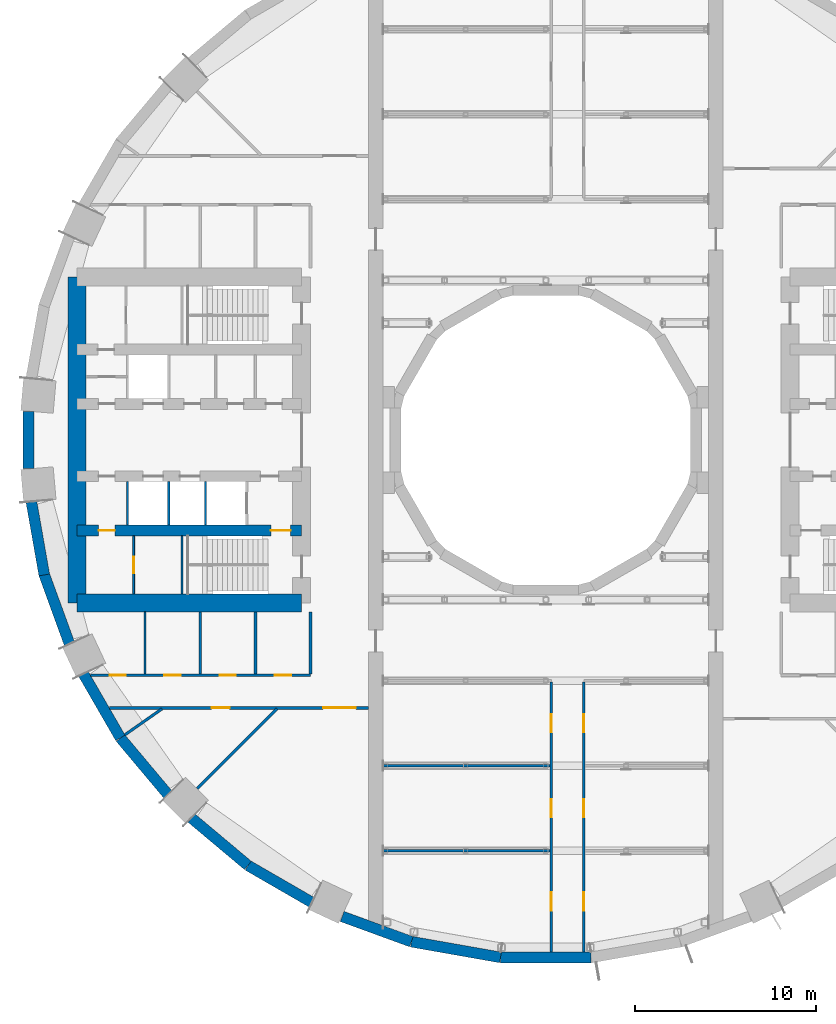
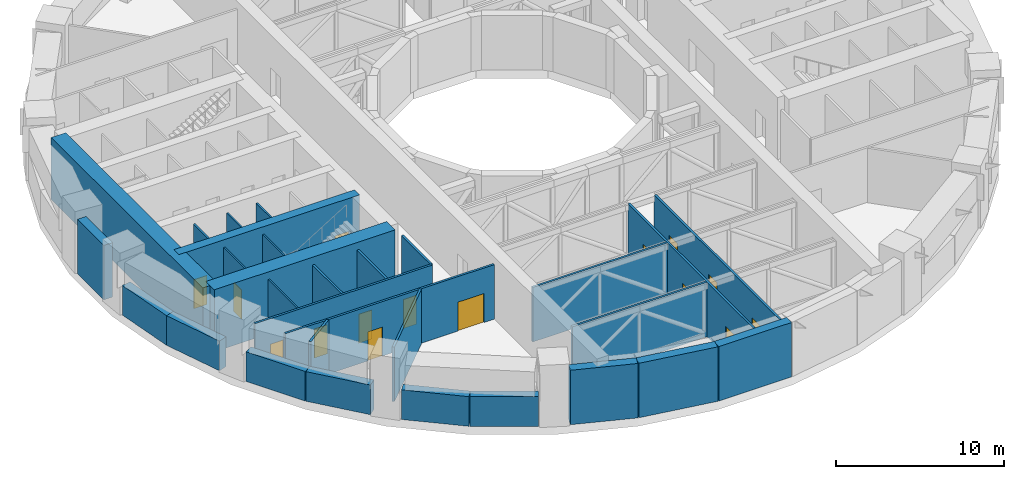
# One storey, part 13 of 21: 30 walls, 15 doors, 15 openings.
"""IFC4 building model written with IfcOpenShell, lengths in metres."""

from ifc_helpers import new_model, si_unit, direction, frame, frame_2d, origin, place, context, subcontext, project, spatial, rectangle, extrude, material, layer, layer_set, type_object, element, fill, save


model = new_model("IFC4")

# Units and contexts
model_context = context("Model", 3, precision=1e-05, world=origin(), true_north=direction((0.0, 1.0)))
body_context = subcontext(model_context, "Body", "Model", "MODEL_VIEW")
ifc_project = project(units=[si_unit("LENGTHUNIT", "METRE"), si_unit("AREAUNIT", "SQUARE_METRE"), si_unit("VOLUMEUNIT", "CUBIC_METRE"), si_unit("PLANEANGLEUNIT", "RADIAN"), si_unit("MASSUNIT", "GRAM", prefix="KILO")], contexts=[model_context])

# Site, building, storey
site_placement = place(None, origin())
site = spatial("IfcSite", under=ifc_project, at=site_placement, CompositionType="ELEMENT")
building_placement = place(site_placement, origin())
building = spatial("IfcBuilding", under=site, at=building_placement, Name="Saqina Gate Tower", CompositionType="ELEMENT")
storey_placement = place(building_placement, frame((0.0, 0.0, 21.800048828125)))
storey = spatial("IfcBuildingStorey", under=building, at=storey_placement, Name="L05", CompositionType="ELEMENT", Elevation=21.800048828125)

# Wall, opening, door
ifc_material_1 = material(Name="Gypsum board on steel studs", Category="steel")
ifc_layer_1 = layer(ifc_material_1, 0.10009765625)
ifc_layer_set_1 = layer_set([ifc_layer_1], Name="CORE PARTITION")
wall_type_1 = type_object("IfcWallType", Name="CORE PARTITION", PredefinedType="PARTITIONING", material=ifc_layer_set_1)
wall_1_placement = place(storey_placement, frame((-22.780029296875, -8.5, 0.0), z_axis=(0.0, 0.0, 1.0), x_axis=(0.0, 1.0, 0.0)))
wall_1 = element("IfcWall", 1, at=wall_1_placement, inside=storey, type_object=wall_type_1, Name="L05-CP-W13", PredefinedType="PARTITIONING", context=body_context, shape_type="SweptSolid", body=[
    extrude(rectangle(XDim=3.199951171875, YDim=0.10009765625, at=frame_2d((1.60009765625, 0.0))), origin(), (0.0, 0.0, 1.0), 3.949951171875),
])
opening_1_placement = place(wall_1_placement, frame((1.14990234375, 0.0, 0.0)))
opening_1 = element("IfcOpeningElement", 2, at=opening_1_placement, cuts=wall_1, Name="Opening L05-D114", PredefinedType="OPENING", context=body_context, shape_type="SweptSolid", body=[
    extrude(rectangle(XDim=0.89990234375, YDim=2.10009765625, at=frame_2d((0.449951171875, 1.050048828125))), frame((0.0, 0.06201171875, 0.0), z_axis=(0.0, -1.0, 0.0), x_axis=(1.0, 0.0, 0.0)), (0.0, 0.0, 1.0), 0.1240234375),
])
ifc_material_2 = material(Name="Steel-framed fire door leaf, EI 60", Category="steel")
door_type_1 = type_object("IfcDoorType", Name="SERVICE ROOM DOOR 900", OperationType="SINGLE_SWING_LEFT", PredefinedType="DOOR", material=ifc_material_2)
door_1_placement = place(opening_1_placement, frame((0.89990234375, 0.0, 0.0), z_axis=(0.0, 0.0, 1.0), x_axis=(-1.0, 0.0, 0.0)))
door_1 = element("IfcDoor", 3, at=door_1_placement, inside=storey, type_object=door_type_1, Name="L05-CD-W25", OperationType="SINGLE_SWING_RIGHT", OverallHeight=2.10009765625, OverallWidth=0.89990234375, PredefinedType="DOOR", context=body_context, shape_type="SweptSolid", body=[
    extrude(rectangle(XDim=0.89990234375, YDim=2.10009765625, at=frame_2d((0.449951171875, 1.050048828125))), frame((0.0, 0.02490234375, 0.0), z_axis=(0.0, -1.0, 0.0), x_axis=(1.0, 0.0, 0.0)), (0.0, 0.0, 1.0), 0.050048828125),
])
fill(opening_1, door_1)

# Walls
ifc_material_3 = material(Name="Brick masonry (red)", Category="masonry")
ifc_layer_2 = layer(ifc_material_3, 0.60009765625)
ifc_layer_set_2 = layer_set([ifc_layer_2], Name="FW-BRICK-RED")
wall_type_2 = type_object("IfcWallType", Name="FW-BRICK-RED", PredefinedType="SOLIDWALL", material=ifc_layer_set_2)
wall_2_placement = place(storey_placement, frame((-25.545166015625, -12.933837890625, 0.0), z_axis=(0.0, 0.0, 1.0), x_axis=(0.500023678693, -0.866011732453, 0.0)))
element("IfcWall", 4, at=wall_2_placement, inside=storey, type_object=wall_type_2, Name="Facade wall L05 facet 21", PredefinedType="SOLIDWALL", context=body_context, shape_type="SweptSolid", body=[
    extrude(rectangle(XDim=4.069091796875, YDim=0.60009765625, at=frame_2d((2.03466796875, 0.0))), origin(), (0.0, 0.0, 1.0), 2.14990234375),
])
for number, where, z_axis, x_axis, name in (
    (5, (-23.50634765625, -16.4638671875, 0.0), (0.0, 0.0, 1.0), (0.642800844336, -0.766033337734, 0.0), "Facade wall L05 facet 22"),
    (6, (-19.5810546875, -20.890625, 0.0), (0.0, 0.0, 1.0), (0.766033337734, -0.642800844336, 0.0), "Facade wall L05 facet 23"),
):
    element("IfcWall", number, at=place(storey_placement, frame(where, z_axis=z_axis, x_axis=x_axis)), inside=storey, type_object=wall_type_2, Name=name, PredefinedType="SOLIDWALL", context=body_context, shape_type="SweptSolid", body=[
        extrude(rectangle(XDim=4.0693359375, YDim=0.60009765625, at=frame_2d((2.03466796875, 0.0))), origin(), (0.0, 0.0, 1.0), 2.14990234375),
    ])
wall_3_placement = place(storey_placement, frame((-16.457763671875, -23.510498046875, 0.0), z_axis=(0.0, 0.0, 1.0), x_axis=(0.866011732453, -0.500023678693, 0.0)))
element("IfcWall", 7, at=wall_3_placement, inside=storey, type_object=wall_type_2, Name="Facade wall L05 facet 24", PredefinedType="SOLIDWALL", context=body_context, shape_type="SweptSolid", body=[
    extrude(rectangle(XDim=4.069091796875, YDim=0.60009765625, at=frame_2d((2.03466796875, 0.0))), origin(), (0.0, 0.0, 1.0), 2.14990234375),
])
wall_4_placement = place(storey_placement, frame((-11.255126953125, -26.327880859375, 0.0), z_axis=(0.0, 0.0, 1.0), x_axis=(0.939683013865, -0.342046536971, 0.0)))
element("IfcWall", 8, at=wall_4_placement, inside=storey, type_object=wall_type_2, Name="Facade wall L05 facet 25", PredefinedType="SOLIDWALL", context=body_context, shape_type="SweptSolid", body=[
    extrude(rectangle(XDim=4.069091796875, YDim=0.60009765625, at=frame_2d((2.03466796875, 0.0))), origin(), (0.0, 0.0, 1.0), 3.949951171875),
])
for number, where, z_axis, x_axis, name in (
    (9, (-7.424072265625, -27.7216796875, 0.0), (0.0, 0.0, 1.0), (0.984806184402, -0.173657073462, 0.0), "Facade wall L05 facet 26"),
    (10, (-2.49755859375, -28.589599609375, 0.0), (0.0, 0.0, 1.0), (1.0, 0.0, 0.0), "Facade wall L05 facet 27"),
):
    element("IfcWall", number, at=place(storey_placement, frame(where, z_axis=z_axis, x_axis=x_axis)), inside=storey, type_object=wall_type_2, Name=name, PredefinedType="SOLIDWALL", context=body_context, shape_type="SweptSolid", body=[
        extrude(rectangle(XDim=4.9951171875, YDim=0.60009765625, at=frame_2d((2.49755859375, 0.0))), origin(), (0.0, 0.0, 1.0), 3.949951171875),
    ])
ifc_material_4 = material(Name="Glazed ceramic tile", Category="ceramic")
ifc_layer_3 = layer(ifc_material_4, 0.60009765625)
ifc_layer_set_3 = layer_set([ifc_layer_3], Name="FW-TILE")
wall_type_3 = type_object("IfcWallType", Name="FW-TILE", PredefinedType="SOLIDWALL", material=ifc_layer_set_3)
wall_5_placement = place(storey_placement, frame((-28.589599609375, 1.571533203125, 0.0), z_axis=(0.0, 0.0, 1.0), x_axis=(0.0, -1.0, 0.0)))
element("IfcWall", 11, at=wall_5_placement, inside=storey, type_object=wall_type_3, Name="Facade wall L05 facet 18", PredefinedType="SOLIDWALL", context=body_context, shape_type="SweptSolid", body=[
    extrude(rectangle(XDim=3.14306640625, YDim=0.60009765625, at=frame_2d((1.571533203125, 0.0))), origin(), (0.0, 0.0, 1.0), 3.949951171875),
])
wall_6_placement = place(storey_placement, frame((-27.72998046875, -7.403076171875, 0.0), z_axis=(0.0, 0.0, 1.0), x_axis=(0.342034744565, -0.939687306241, 0.0)))
element("IfcWall", 12, at=wall_6_placement, inside=storey, type_object=wall_type_3, Name="Facade wall L05 facet 20", PredefinedType="SOLIDWALL", context=body_context, shape_type="SweptSolid", body=[
    extrude(rectangle(XDim=4.099365234375, YDim=0.60009765625, at=frame_2d((2.0498046875, 0.0))), origin(), (0.0, 0.0, 1.0), 2.14990234375),
])
ifc_material_5 = material(Name="Glazed ceramic tile (white)", Category="ceramic")
ifc_layer_4 = layer(ifc_material_5, 0.60009765625)
ifc_layer_set_4 = layer_set([ifc_layer_4], Name="FW-TILE-WH")
wall_type_4 = type_object("IfcWallType", Name="FW-TILE-WH", PredefinedType="SOLIDWALL", material=ifc_layer_set_4)
wall_7_placement = place(storey_placement, frame((-28.42822265625, -3.416748046875, 0.0), z_axis=(0.0, 0.0, 1.0), x_axis=(0.173673210505, -0.984803338719, 0.0)))
element("IfcWall", 13, at=wall_7_placement, inside=storey, type_object=wall_type_4, Name="Facade wall L05 facet 19", PredefinedType="SOLIDWALL", context=body_context, shape_type="SweptSolid", body=[
    extrude(rectangle(XDim=4.09912109375, YDim=0.60009765625, at=frame_2d((2.049560546875, 0.0))), origin(), (0.0, 0.0, 1.0), 2.14990234375),
])
ifc_material_6 = material(Name="Autoclaved aerated concrete block", Category="concrete")
ifc_layer_5 = layer(ifc_material_6, 0.1201171875)
ifc_layer_set_5 = layer_set([ifc_layer_5], Name="SHAFT PARTITION")
wall_type_5 = type_object("IfcWallType", Name="SHAFT PARTITION", PredefinedType="PARTITIONING", material=ifc_layer_set_5)
for number, where, z_axis, x_axis, name in (
    (14, (-18.81005859375, -4.699951171875, 0.0), (0.0, 0.0, 1.0), (0.0, 1.0, 0.0), "L05-CP-W06"),
    (15, (-20.840087890625, -4.699951171875, 0.0), (0.0, 0.0, 1.0), (0.0, 1.0, 0.0), "L05-CP-W07"),
    (16, (-23.1201171875, -4.699951171875, 0.0), (0.0, 0.0, 1.0), (0.0, 1.0, 0.0), "L05-CP-W08"),
):
    element("IfcWall", number, at=place(storey_placement, frame(where, z_axis=z_axis, x_axis=x_axis)), inside=storey, type_object=wall_type_5, Name=name, PredefinedType="PARTITIONING", context=body_context, shape_type="SweptSolid", body=[
        extrude(rectangle(XDim=2.39990234375, YDim=0.1201171875, at=frame_2d((1.199951171875, 0.0))), origin(), (0.0, 0.0, 1.0), 3.949951171875),
    ])
ifc_material_7 = material(Name="Gypsum board on steel studs, 100 mm", Category="steel")
ifc_layer_6 = layer(ifc_material_7, 0.10009765625)
ifc_layer_set_6 = layer_set([ifc_layer_6], Name="SPECIAL PARTITION 100")
wall_type_6 = type_object("IfcWallType", Name="SPECIAL PARTITION 100", PredefinedType="PARTITIONING", material=ifc_layer_set_6)
wall_8_placement = place(storey_placement, frame((-22.14990234375, -12.925048828125, 0.0), z_axis=(0.0, 0.0, 1.0), x_axis=(0.0, 1.0, 0.0)))
element("IfcWall", 17, at=wall_8_placement, inside=storey, type_object=wall_type_6, Name="PARTITION 049", PredefinedType="PARTITIONING", context=body_context, shape_type="SweptSolid", body=[
    extrude(rectangle(XDim=3.425048828125, YDim=0.10009765625, at=frame_2d((1.71240234375, 0.0))), origin(), (0.0, 0.0, 1.0), 3.949951171875),
])
ifc_material_8 = material(Name="Gypsum board on steel studs, 150 mm, fire rated", Category="steel")
ifc_layer_7 = layer(ifc_material_8, 0.14990234375)
ifc_layer_set_7 = layer_set([ifc_layer_7], Name="SPECIAL PARTITION EI 30 150")
wall_type_7 = type_object("IfcWallType", Name="SPECIAL PARTITION EI 30 150", PredefinedType="PARTITIONING", material=ifc_layer_set_7)
wall_9_placement = place(storey_placement, frame((-13.0, -12.925048828125, 0.0), z_axis=(0.0, 0.0, 1.0), x_axis=(0.0, 1.0, 0.0)))
element("IfcWall", 18, at=wall_9_placement, inside=storey, type_object=wall_type_7, Name="PARTITION 043", PredefinedType="PARTITIONING", context=body_context, shape_type="SweptSolid", body=[
    extrude(rectangle(XDim=3.425048828125, YDim=0.14990234375, at=frame_2d((1.71240234375, 0.0))), origin(), (0.0, 0.0, 1.0), 3.949951171875),
])
ifc_material_9 = material(Name="Masonry block and plaster, 150 mm, fire rated", Category="masonry")
ifc_layer_8 = layer(ifc_material_9, 0.14990234375)
ifc_layer_set_8 = layer_set([ifc_layer_8], Name="SPECIAL PARTITION EI 60 150")
wall_type_8 = type_object("IfcWallType", Name="SPECIAL PARTITION EI 60 150", PredefinedType="PARTITIONING", material=ifc_layer_set_8)
for number, where, z_axis, x_axis, name in (
    (19, (-9.0, -22.699951171875, 0.0), (0.0, 0.0, 1.0), (1.0, 0.0, 0.0), "PARTITION 005"),
    (20, (-9.0, -18.0, 0.0), (0.0, 0.0, 1.0), (1.0, 0.0, 0.0), "PARTITION 007"),
):
    element("IfcWall", number, at=place(storey_placement, frame(where, z_axis=z_axis, x_axis=x_axis)), inside=storey, type_object=wall_type_8, Name=name, PredefinedType="PARTITIONING", context=body_context, shape_type="SweptSolid", body=[
        extrude(rectangle(XDim=9.22509765625, YDim=0.14990234375, at=frame_2d((4.612548828125, 0.0))), origin(), (0.0, 0.0, 1.0), 3.949951171875),
    ])

# Wall, openings, doors
wall_10_placement = place(storey_placement, frame((-24.12109375, -14.800048828125, 0.0), z_axis=(0.0, 0.0, 1.0), x_axis=(1.0, 0.0, 0.0)))
wall_10 = element("IfcWall", 21, at=wall_10_placement, inside=storey, type_object=wall_type_8, Name="PARTITION 010", PredefinedType="PARTITIONING", context=body_context, shape_type="SweptSolid", body=[
    extrude(rectangle(XDim=14.321044921875, YDim=0.14990234375, at=frame_2d((7.16064453125, 0.0))), origin(), (0.0, 0.0, 1.0), 3.949951171875),
])
opening_2_placement = place(wall_10_placement, frame((5.652587890625, 0.0, 0.0)))
opening_2 = element("IfcOpeningElement", 22, at=opening_2_placement, cuts=wall_10, Name="Opening L05-D22", PredefinedType="OPENING", context=body_context, shape_type="SweptSolid", body=[
    extrude(rectangle(XDim=1.0, YDim=2.10009765625, at=frame_2d((0.5, 1.050048828125))), frame((0.0, 0.0869140625, 0.0), z_axis=(0.0, -1.0, 0.0), x_axis=(1.0, 0.0, 0.0)), (0.0, 0.0, 1.0), 0.173828125),
])
opening_3_placement = place(wall_10_placement, frame((11.819091796875, 0.0, 0.0)))
opening_3 = element("IfcOpeningElement", 23, at=opening_3_placement, cuts=wall_10, Name="Opening L05-D24", PredefinedType="OPENING", context=body_context, shape_type="SweptSolid", body=[
    extrude(rectangle(XDim=1.800048828125, YDim=2.10009765625, at=frame_2d((0.89990234375, 1.050048828125))), frame((0.0, 0.0869140625, 0.0), z_axis=(0.0, -1.0, 0.0), x_axis=(1.0, 0.0, 0.0)), (0.0, 0.0, 1.0), 0.173828125),
])
ifc_material_10 = material(Name="Steel-framed fire door leaf, EI 60", Category="steel")
door_type_2 = type_object("IfcDoorType", Name="SPECIAL DOOR 1000 FIRE EI 60", OperationType="SINGLE_SWING_LEFT", PredefinedType="DOOR", material=ifc_material_10)
door_2_placement = place(opening_2_placement, frame((1.0, 0.0, 0.0), z_axis=(0.0, 0.0, 1.0), x_axis=(-1.0, 0.0, 0.0)))
door_2 = element("IfcDoor", 24, at=door_2_placement, inside=storey, type_object=door_type_2, Name="DOOR L05-D22", OperationType="SINGLE_SWING_RIGHT", OverallHeight=2.10009765625, OverallWidth=1.0, PredefinedType="DOOR", context=body_context, shape_type="SweptSolid", body=[
    extrude(rectangle(XDim=1.0, YDim=2.10009765625, at=frame_2d((0.5, 1.050048828125))), frame((0.0, 0.02490234375, 0.0), z_axis=(0.0, -1.0, 0.0), x_axis=(1.0, 0.0, 0.0)), (0.0, 0.0, 1.0), 0.050048828125),
])
fill(opening_2, door_2)
ifc_material_11 = material(Name="Steel-framed fire door leaf, EI 60", Category="steel")
door_type_3 = type_object("IfcDoorType", Name="SPECIAL DOUBLE DOOR 1800 FIRE EI 60", OperationType="DOUBLE_DOOR_SINGLE_SWING", PredefinedType="DOOR", material=ifc_material_11)
door_3_placement = place(opening_3_placement, origin())
door_3 = element("IfcDoor", 25, at=door_3_placement, inside=storey, type_object=door_type_3, Name="DOOR L05-D24", OperationType="DOUBLE_DOOR_SINGLE_SWING", OverallHeight=2.10009765625, OverallWidth=1.800048828125, PredefinedType="DOOR", context=body_context, shape_type="SweptSolid", body=[
    extrude(rectangle(XDim=1.800048828125, YDim=2.10009765625, at=frame_2d((0.89990234375, 1.050048828125))), frame((0.0, 0.02490234375, 0.0), z_axis=(0.0, -1.0, 0.0), x_axis=(1.0, 0.0, 0.0)), (0.0, 0.0, 1.0), 0.050048828125),
])
fill(opening_3, door_3)

wall_11_placement = place(storey_placement, frame((-25.159912109375, -13.0, 0.0), z_axis=(0.0, 0.0, 1.0), x_axis=(1.0, 0.0, 0.0)))
wall_11 = element("IfcWall", 26, at=wall_11_placement, inside=storey, type_object=wall_type_8, Name="PARTITION 013", PredefinedType="PARTITIONING", context=body_context, shape_type="SweptSolid", body=[
    extrude(rectangle(XDim=12.159912109375, YDim=0.14990234375, at=frame_2d((6.080078125, 0.0))), origin(), (0.0, 0.0, 1.0), 3.949951171875),
])
opening_4_placement = place(wall_11_placement, frame((1.054931640625, 0.0, 0.0)))
opening_4 = element("IfcOpeningElement", 27, at=opening_4_placement, cuts=wall_11, Name="Opening L05-D19", PredefinedType="OPENING", context=body_context, shape_type="SweptSolid", body=[
    extrude(rectangle(XDim=0.89990234375, YDim=2.10009765625, at=frame_2d((0.449951171875, 1.050048828125))), frame((0.0, 0.0869140625, 0.0), z_axis=(0.0, -1.0, 0.0), x_axis=(1.0, 0.0, 0.0)), (0.0, 0.0, 1.0), 0.173828125),
])
opening_5_placement = place(wall_11_placement, frame((4.0849609375, 0.0, 0.0)))
opening_5 = element("IfcOpeningElement", 28, at=opening_5_placement, cuts=wall_11, Name="Opening L05-D20", PredefinedType="OPENING", context=body_context, shape_type="SweptSolid", body=[
    extrude(rectangle(XDim=0.89990234375, YDim=2.10009765625, at=frame_2d((0.449951171875, 1.050048828125))), frame((0.0, 0.0869140625, 0.0), z_axis=(0.0, -1.0, 0.0), x_axis=(1.0, 0.0, 0.0)), (0.0, 0.0, 1.0), 0.173828125),
])
opening_6_placement = place(wall_11_placement, frame((7.135009765625, 0.0, 0.0)))
opening_6 = element("IfcOpeningElement", 29, at=opening_6_placement, cuts=wall_11, Name="Opening L05-D21", PredefinedType="OPENING", context=body_context, shape_type="SweptSolid", body=[
    extrude(rectangle(XDim=0.89990234375, YDim=2.10009765625, at=frame_2d((0.449951171875, 1.050048828125))), frame((0.0, 0.0869140625, 0.0), z_axis=(0.0, -1.0, 0.0), x_axis=(1.0, 0.0, 0.0)), (0.0, 0.0, 1.0), 0.173828125),
])
opening_7_placement = place(wall_11_placement, frame((10.18505859375, 0.0, 0.0)))
opening_7 = element("IfcOpeningElement", 30, at=opening_7_placement, cuts=wall_11, Name="Opening L05-D23", PredefinedType="OPENING", context=body_context, shape_type="SweptSolid", body=[
    extrude(rectangle(XDim=0.89990234375, YDim=2.10009765625, at=frame_2d((0.449951171875, 1.050048828125))), frame((0.0, 0.0869140625, 0.0), z_axis=(0.0, -1.0, 0.0), x_axis=(1.0, 0.0, 0.0)), (0.0, 0.0, 1.0), 0.173828125),
])
ifc_material_12 = material(Name="Steel-framed fire door leaf, EI 60", Category="steel")
door_type_4 = type_object("IfcDoorType", Name="SPECIAL DOOR 900 FIRE EI 60", OperationType="SINGLE_SWING_LEFT", PredefinedType="DOOR", material=ifc_material_12)
door_4_placement = place(opening_4_placement, origin())
door_4 = element("IfcDoor", 31, at=door_4_placement, inside=storey, type_object=door_type_4, Name="DOOR L05-D19", OperationType="SINGLE_SWING_LEFT", OverallHeight=2.10009765625, OverallWidth=0.89990234375, PredefinedType="DOOR", context=body_context, shape_type="SweptSolid", body=[
    extrude(rectangle(XDim=0.89990234375, YDim=2.10009765625, at=frame_2d((0.449951171875, 1.050048828125))), frame((0.0, 0.02490234375, 0.0), z_axis=(0.0, -1.0, 0.0), x_axis=(1.0, 0.0, 0.0)), (0.0, 0.0, 1.0), 0.050048828125),
])
fill(opening_4, door_4)
door_5_placement = place(opening_5_placement, origin())
door_5 = element("IfcDoor", 32, at=door_5_placement, inside=storey, type_object=door_type_4, Name="DOOR L05-D20", OperationType="SINGLE_SWING_LEFT", OverallHeight=2.10009765625, OverallWidth=0.89990234375, PredefinedType="DOOR", context=body_context, shape_type="SweptSolid", body=[
    extrude(rectangle(XDim=0.89990234375, YDim=2.10009765625, at=frame_2d((0.449951171875, 1.050048828125))), frame((0.0, 0.02490234375, 0.0), z_axis=(0.0, -1.0, 0.0), x_axis=(1.0, 0.0, 0.0)), (0.0, 0.0, 1.0), 0.050048828125),
])
fill(opening_5, door_5)
door_6_placement = place(opening_6_placement, origin())
door_6 = element("IfcDoor", 33, at=door_6_placement, inside=storey, type_object=door_type_4, Name="DOOR L05-D21", OperationType="SINGLE_SWING_RIGHT", OverallHeight=2.10009765625, OverallWidth=0.89990234375, PredefinedType="DOOR", context=body_context, shape_type="SweptSolid", body=[
    extrude(rectangle(XDim=0.89990234375, YDim=2.10009765625, at=frame_2d((0.449951171875, 1.050048828125))), frame((0.0, 0.02490234375, 0.0), z_axis=(0.0, -1.0, 0.0), x_axis=(1.0, 0.0, 0.0)), (0.0, 0.0, 1.0), 0.050048828125),
])
fill(opening_6, door_6)
door_7_placement = place(opening_7_placement, origin())
door_7 = element("IfcDoor", 34, at=door_7_placement, inside=storey, type_object=door_type_4, Name="DOOR L05-D23", OperationType="SINGLE_SWING_RIGHT", OverallHeight=2.10009765625, OverallWidth=0.89990234375, PredefinedType="DOOR", context=body_context, shape_type="SweptSolid", body=[
    extrude(rectangle(XDim=0.89990234375, YDim=2.10009765625, at=frame_2d((0.449951171875, 1.050048828125))), frame((0.0, 0.02490234375, 0.0), z_axis=(0.0, -1.0, 0.0), x_axis=(1.0, 0.0, 0.0)), (0.0, 0.0, 1.0), 0.050048828125),
])
fill(opening_7, door_7)

# Walls
wall_12_placement = place(storey_placement, frame((-23.261962890625, -16.2880859375, 0.0), z_axis=(0.0, 0.0, 1.0), x_axis=(0.81919520462, 0.573514792073, 0.0)))
element("IfcWall", 35, at=wall_12_placement, inside=storey, type_object=wall_type_8, Name="PARTITION 027", PredefinedType="PARTITIONING", context=body_context, shape_type="SweptSolid", body=[
    extrude(rectangle(XDim=2.499267578125, YDim=0.14990234375, at=frame_2d((1.24951171875, 0.0))), origin(), (0.0, 0.0, 1.0), 3.949951171875),
])
wall_13_placement = place(storey_placement, frame((-19.26171875, -19.26171875, 0.0), z_axis=(0.0, 0.0, 1.0), x_axis=(0.707106781187, 0.707106781187, 0.0)))
element("IfcWall", 36, at=wall_13_placement, inside=storey, type_object=wall_type_8, Name="PARTITION 029", PredefinedType="PARTITIONING", context=body_context, shape_type="SweptSolid", body=[
    extrude(rectangle(XDim=6.23486328125, YDim=0.14990234375, at=frame_2d((3.117431640625, 0.0))), origin(), (0.0, 0.0, 1.0), 3.949951171875),
])

# Wall, openings, doors
wall_14_placement = place(storey_placement, frame((2.10009765625, -28.2900390625, 0.0), z_axis=(0.0, 0.0, 1.0), x_axis=(0.0, 1.0, 0.0)))
wall_14 = element("IfcWall", 37, at=wall_14_placement, inside=storey, type_object=wall_type_8, Name="PARTITION 039", PredefinedType="PARTITIONING", context=body_context, shape_type="SweptSolid", body=[
    extrude(rectangle(XDim=14.9150390625, YDim=0.14990234375, at=frame_2d((7.45751953125, 0.0))), origin(), (0.0, 0.0, 1.0), 3.949951171875),
])
opening_8_placement = place(wall_14_placement, frame((2.294921875, 0.0, 0.0)))
opening_8 = element("IfcOpeningElement", 38, at=opening_8_placement, cuts=wall_14, Name="Opening L05-D28", PredefinedType="OPENING", context=body_context, shape_type="SweptSolid", body=[
    extrude(rectangle(XDim=1.0, YDim=2.10009765625, at=frame_2d((0.5, 1.050048828125))), frame((0.0, 0.0869140625, 0.0), z_axis=(0.0, -1.0, 0.0), x_axis=(1.0, 0.0, 0.0)), (0.0, 0.0, 1.0), 0.173828125),
])
opening_9_placement = place(wall_14_placement, frame((7.43994140625, 0.0, 0.0)))
opening_9 = element("IfcOpeningElement", 39, at=opening_9_placement, cuts=wall_14, Name="Opening L05-D29", PredefinedType="OPENING", context=body_context, shape_type="SweptSolid", body=[
    extrude(rectangle(XDim=1.0, YDim=2.10009765625, at=frame_2d((0.5, 1.050048828125))), frame((0.0, 0.0869140625, 0.0), z_axis=(0.0, -1.0, 0.0), x_axis=(1.0, 0.0, 0.0)), (0.0, 0.0, 1.0), 0.173828125),
])
opening_10_placement = place(wall_14_placement, frame((12.139892578125, 0.0, 0.0)))
opening_10 = element("IfcOpeningElement", 40, at=opening_10_placement, cuts=wall_14, Name="Opening L05-D30", PredefinedType="OPENING", context=body_context, shape_type="SweptSolid", body=[
    extrude(rectangle(XDim=1.0, YDim=2.10009765625, at=frame_2d((0.5, 1.050048828125))), frame((0.0, 0.0869140625, 0.0), z_axis=(0.0, -1.0, 0.0), x_axis=(1.0, 0.0, 0.0)), (0.0, 0.0, 1.0), 0.173828125),
])
door_8_placement = place(opening_8_placement, frame((1.0, 0.0, 0.0), z_axis=(0.0, 0.0, 1.0), x_axis=(-1.0, 0.0, 0.0)))
door_8 = element("IfcDoor", 41, at=door_8_placement, inside=storey, type_object=door_type_2, Name="DOOR L05-D28", OperationType="SINGLE_SWING_RIGHT", OverallHeight=2.10009765625, OverallWidth=1.0, PredefinedType="DOOR", context=body_context, shape_type="SweptSolid", body=[
    extrude(rectangle(XDim=1.0, YDim=2.10009765625, at=frame_2d((0.5, 1.050048828125))), frame((0.0, 0.02490234375, 0.0), z_axis=(0.0, -1.0, 0.0), x_axis=(1.0, 0.0, 0.0)), (0.0, 0.0, 1.0), 0.050048828125),
])
fill(opening_8, door_8)
door_9_placement = place(opening_9_placement, frame((1.0, 0.0, 0.0), z_axis=(0.0, 0.0, 1.0), x_axis=(-1.0, 0.0, 0.0)))
door_9 = element("IfcDoor", 42, at=door_9_placement, inside=storey, type_object=door_type_2, Name="DOOR L05-D29", OperationType="SINGLE_SWING_LEFT", OverallHeight=2.10009765625, OverallWidth=1.0, PredefinedType="DOOR", context=body_context, shape_type="SweptSolid", body=[
    extrude(rectangle(XDim=1.0, YDim=2.10009765625, at=frame_2d((0.5, 1.050048828125))), frame((0.0, 0.02490234375, 0.0), z_axis=(0.0, -1.0, 0.0), x_axis=(1.0, 0.0, 0.0)), (0.0, 0.0, 1.0), 0.050048828125),
])
fill(opening_9, door_9)
door_10_placement = place(opening_10_placement, frame((1.0, 0.0, 0.0), z_axis=(0.0, 0.0, 1.0), x_axis=(-1.0, 0.0, 0.0)))
door_10 = element("IfcDoor", 43, at=door_10_placement, inside=storey, type_object=door_type_2, Name="DOOR L05-D30", OperationType="SINGLE_SWING_LEFT", OverallHeight=2.10009765625, OverallWidth=1.0, PredefinedType="DOOR", context=body_context, shape_type="SweptSolid", body=[
    extrude(rectangle(XDim=1.0, YDim=2.10009765625, at=frame_2d((0.5, 1.050048828125))), frame((0.0, 0.02490234375, 0.0), z_axis=(0.0, -1.0, 0.0), x_axis=(1.0, 0.0, 0.0)), (0.0, 0.0, 1.0), 0.050048828125),
])
fill(opening_10, door_10)

wall_15_placement = place(storey_placement, frame((0.300048828125, -28.2900390625, 0.0), z_axis=(0.0, 0.0, 1.0), x_axis=(0.0, 1.0, 0.0)))
wall_15 = element("IfcWall", 44, at=wall_15_placement, inside=storey, type_object=wall_type_8, Name="PARTITION 041", PredefinedType="PARTITIONING", context=body_context, shape_type="SweptSolid", body=[
    extrude(rectangle(XDim=14.9150390625, YDim=0.14990234375, at=frame_2d((7.45751953125, 0.0))), origin(), (0.0, 0.0, 1.0), 3.949951171875),
])
opening_11_placement = place(wall_15_placement, frame((2.294921875, 0.0, 0.0)))
opening_11 = element("IfcOpeningElement", 45, at=opening_11_placement, cuts=wall_15, Name="Opening L05-D25", PredefinedType="OPENING", context=body_context, shape_type="SweptSolid", body=[
    extrude(rectangle(XDim=1.0, YDim=2.10009765625, at=frame_2d((0.5, 1.050048828125))), frame((0.0, 0.0869140625, 0.0), z_axis=(0.0, -1.0, 0.0), x_axis=(1.0, 0.0, 0.0)), (0.0, 0.0, 1.0), 0.173828125),
])
opening_12_placement = place(wall_15_placement, frame((7.43994140625, 0.0, 0.0)))
opening_12 = element("IfcOpeningElement", 46, at=opening_12_placement, cuts=wall_15, Name="Opening L05-D26", PredefinedType="OPENING", context=body_context, shape_type="SweptSolid", body=[
    extrude(rectangle(XDim=1.0, YDim=2.10009765625, at=frame_2d((0.5, 1.050048828125))), frame((0.0, 0.0869140625, 0.0), z_axis=(0.0, -1.0, 0.0), x_axis=(1.0, 0.0, 0.0)), (0.0, 0.0, 1.0), 0.173828125),
])
opening_13_placement = place(wall_15_placement, frame((12.139892578125, 0.0, 0.0)))
opening_13 = element("IfcOpeningElement", 47, at=opening_13_placement, cuts=wall_15, Name="Opening L05-D27", PredefinedType="OPENING", context=body_context, shape_type="SweptSolid", body=[
    extrude(rectangle(XDim=1.0, YDim=2.10009765625, at=frame_2d((0.5, 1.050048828125))), frame((0.0, 0.0869140625, 0.0), z_axis=(0.0, -1.0, 0.0), x_axis=(1.0, 0.0, 0.0)), (0.0, 0.0, 1.0), 0.173828125),
])
door_11_placement = place(opening_11_placement, origin())
door_11 = element("IfcDoor", 48, at=door_11_placement, inside=storey, type_object=door_type_2, Name="DOOR L05-D25", OperationType="SINGLE_SWING_LEFT", OverallHeight=2.10009765625, OverallWidth=1.0, PredefinedType="DOOR", context=body_context, shape_type="SweptSolid", body=[
    extrude(rectangle(XDim=1.0, YDim=2.10009765625, at=frame_2d((0.5, 1.050048828125))), frame((0.0, 0.02490234375, 0.0), z_axis=(0.0, -1.0, 0.0), x_axis=(1.0, 0.0, 0.0)), (0.0, 0.0, 1.0), 0.050048828125),
])
fill(opening_11, door_11)
door_12_placement = place(opening_12_placement, origin())
door_12 = element("IfcDoor", 49, at=door_12_placement, inside=storey, type_object=door_type_2, Name="DOOR L05-D26", OperationType="SINGLE_SWING_RIGHT", OverallHeight=2.10009765625, OverallWidth=1.0, PredefinedType="DOOR", context=body_context, shape_type="SweptSolid", body=[
    extrude(rectangle(XDim=1.0, YDim=2.10009765625, at=frame_2d((0.5, 1.050048828125))), frame((0.0, 0.02490234375, 0.0), z_axis=(0.0, -1.0, 0.0), x_axis=(1.0, 0.0, 0.0)), (0.0, 0.0, 1.0), 0.050048828125),
])
fill(opening_12, door_12)
door_13_placement = place(opening_13_placement, origin())
door_13 = element("IfcDoor", 50, at=door_13_placement, inside=storey, type_object=door_type_2, Name="DOOR L05-D27", OperationType="SINGLE_SWING_RIGHT", OverallHeight=2.10009765625, OverallWidth=1.0, PredefinedType="DOOR", context=body_context, shape_type="SweptSolid", body=[
    extrude(rectangle(XDim=1.0, YDim=2.10009765625, at=frame_2d((0.5, 1.050048828125))), frame((0.0, 0.02490234375, 0.0), z_axis=(0.0, -1.0, 0.0), x_axis=(1.0, 0.0, 0.0)), (0.0, 0.0, 1.0), 0.050048828125),
])
fill(opening_13, door_13)

# Walls
for number, where, z_axis, x_axis, name in (
    (51, (-16.050048828125, -12.925048828125, 0.0), (0.0, 0.0, 1.0), (0.0, 1.0, 0.0), "PARTITION 045"),
    (52, (-19.10009765625, -12.925048828125, 0.0), (0.0, 0.0, 1.0), (0.0, 1.0, 0.0), "PARTITION 047"),
):
    element("IfcWall", number, at=place(storey_placement, frame(where, z_axis=z_axis, x_axis=x_axis)), inside=storey, type_object=wall_type_8, Name=name, PredefinedType="PARTITIONING", context=body_context, shape_type="SweptSolid", body=[
        extrude(rectangle(XDim=3.425048828125, YDim=0.14990234375, at=frame_2d((1.71240234375, 0.0))), origin(), (0.0, 0.0, 1.0), 3.949951171875),
    ])
ifc_material_13 = material(Name="Autoclaved aerated concrete block", Category="concrete")
ifc_layer_9 = layer(ifc_material_13, 0.10009765625)
ifc_layer_set_9 = layer_set([ifc_layer_9], Name="STAIR ENCLOSURE WALL")
wall_type_9 = type_object("IfcWallType", Name="STAIR ENCLOSURE WALL", PredefinedType="PARTITIONING", material=ifc_layer_set_9)
wall_16_placement = place(storey_placement, frame((-20.110107421875, -8.5, 0.0), z_axis=(0.0, 0.0, 1.0), x_axis=(0.0, 1.0, 0.0)))
element("IfcWall", 53, at=wall_16_placement, inside=storey, type_object=wall_type_9, Name="L05-CP-W12", PredefinedType="PARTITIONING", context=body_context, shape_type="SweptSolid", body=[
    extrude(rectangle(XDim=3.199951171875, YDim=0.10009765625, at=frame_2d((1.60009765625, 0.0))), origin(), (0.0, 0.0, 1.0), 3.949951171875),
])

# Wall, openings, doors
ifc_material_14 = material(Name="Concrete C70/85", Category="concrete")
ifc_layer_10 = layer(ifc_material_14, 0.60009765625)
ifc_layer_set_10 = layer_set([ifc_layer_10], Name="Concrete C70/85")
wall_type_10 = type_object("IfcWallType", Name="STR-CORE WALL-P-I", PredefinedType="SHEAR", material=ifc_layer_set_10)
wall_17_placement = place(storey_placement, frame((-13.5, -5.0, 0.0), z_axis=(0.0, 0.0, 1.0), x_axis=(-1.0, 0.0, 0.0)))
wall_17 = element("IfcWall", 54, at=wall_17_placement, inside=storey, type_object=wall_type_10, Name="CORE WALL L05 W-X2", PredefinedType="SHEAR", context=body_context, shape_type="SweptSolid", body=[
    extrude(rectangle(XDim=12.39990234375, YDim=0.60009765625, at=frame_2d((6.199951171875, 0.0))), origin(), (0.0, 0.0, 1.0), 4.5),
])
opening_14_placement = place(wall_17_placement, frame((10.31005859375, 0.0, 0.0)))
opening_14 = element("IfcOpeningElement", 55, at=opening_14_placement, cuts=wall_17, Name="Opening L05-D115", PredefinedType="OPENING", context=body_context, shape_type="SweptSolid", body=[
    extrude(rectangle(XDim=0.89990234375, YDim=2.10009765625, at=frame_2d((0.449951171875, 1.050048828125))), frame((0.0, 0.31201171875, 0.0), z_axis=(0.0, -1.0, 0.0), x_axis=(1.0, 0.0, 0.0)), (0.0, 0.0, 1.0), 0.6240234375),
])
opening_15_placement = place(wall_17_placement, frame((0.60009765625, 0.0, 0.0)))
opening_15 = element("IfcOpeningElement", 56, at=opening_15_placement, cuts=wall_17, Name="Opening L05-D116", PredefinedType="OPENING", context=body_context, shape_type="SweptSolid", body=[
    extrude(rectangle(XDim=1.10009765625, YDim=2.10009765625, at=frame_2d((0.550048828125, 1.050048828125))), frame((0.0, 0.31201171875, 0.0), z_axis=(0.0, -1.0, 0.0), x_axis=(1.0, 0.0, 0.0)), (0.0, 0.0, 1.0), 0.6240234375),
])
ifc_material_15 = material(Name="Steel", Category="steel")
door_type_5 = type_object("IfcDoorType", Name="FIRE LOBBY DOOR EI 60 WIDE", OperationType="SINGLE_SWING_LEFT", PredefinedType="DOOR", material=ifc_material_15)
door_14_placement = place(opening_15_placement, origin())
door_14 = element("IfcDoor", 57, at=door_14_placement, inside=storey, type_object=door_type_5, Name="L05-CD-W27", OperationType="SINGLE_SWING_LEFT", OverallHeight=2.10009765625, OverallWidth=1.10009765625, PredefinedType="DOOR", context=body_context, shape_type="SweptSolid", body=[
    extrude(rectangle(XDim=1.10009765625, YDim=2.10009765625, at=frame_2d((0.550048828125, 1.050048828125))), frame((0.0, 0.02490234375, 0.0), z_axis=(0.0, -1.0, 0.0), x_axis=(1.0, 0.0, 0.0)), (0.0, 0.0, 1.0), 0.050048828125),
])
fill(opening_15, door_14)
door_15_placement = place(opening_14_placement, origin())
door_15 = element("IfcDoor", 58, at=door_15_placement, inside=storey, type_object=door_type_1, Name="L05-CD-W26", OperationType="SINGLE_SWING_RIGHT", OverallHeight=2.10009765625, OverallWidth=0.89990234375, PredefinedType="DOOR", context=body_context, shape_type="SweptSolid", body=[
    extrude(rectangle(XDim=0.89990234375, YDim=2.10009765625, at=frame_2d((0.449951171875, 1.050048828125))), frame((0.0, 0.02490234375, 0.0), z_axis=(0.0, -1.0, 0.0), x_axis=(1.0, 0.0, 0.0)), (0.0, 0.0, 1.0), 0.050048828125),
])
fill(opening_14, door_15)

# Walls
ifc_material_16 = material(Name="Concrete C70/85", Category="concrete")
ifc_layer_11 = layer(ifc_material_16, 1.0)
ifc_layer_set_11 = layer_set([ifc_layer_11], Name="Concrete C70/85")
wall_type_11 = type_object("IfcWallType", Name="STR-CORE WALL-P-O", PredefinedType="SHEAR", material=ifc_layer_set_11)
wall_18_placement = place(storey_placement, frame((-25.89990234375, -9.0, 0.0), z_axis=(0.0, 0.0, 1.0), x_axis=(0.0, 1.0, 0.0)))
element("IfcWall", 59, at=wall_18_placement, inside=storey, type_object=wall_type_11, Name="CORE WALL L05 W-W2", PredefinedType="SHEAR", context=body_context, shape_type="SweptSolid", body=[
    extrude(rectangle(XDim=18.0, YDim=1.0, at=frame_2d((9.0, 0.0))), origin(), (0.0, 0.0, 1.0), 4.5),
])
wall_19_placement = place(storey_placement, frame((-13.5, -9.0, 0.0), z_axis=(0.0, 0.0, 1.0), x_axis=(-1.0, 0.0, 0.0)))
element("IfcWall", 60, at=wall_19_placement, inside=storey, type_object=wall_type_11, Name="CORE WALL L05 W-SE", PredefinedType="SHEAR", context=body_context, shape_type="SweptSolid", body=[
    extrude(rectangle(XDim=12.39990234375, YDim=1.0, at=frame_2d((6.199951171875, 0.0))), origin(), (0.0, 0.0, 1.0), 4.5),
])

save(model, "model.ifc")
